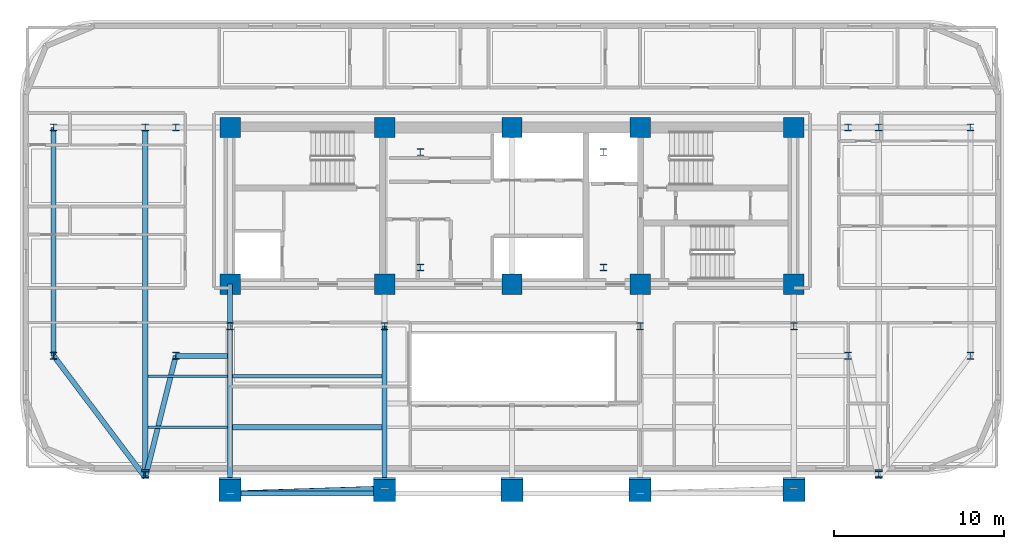
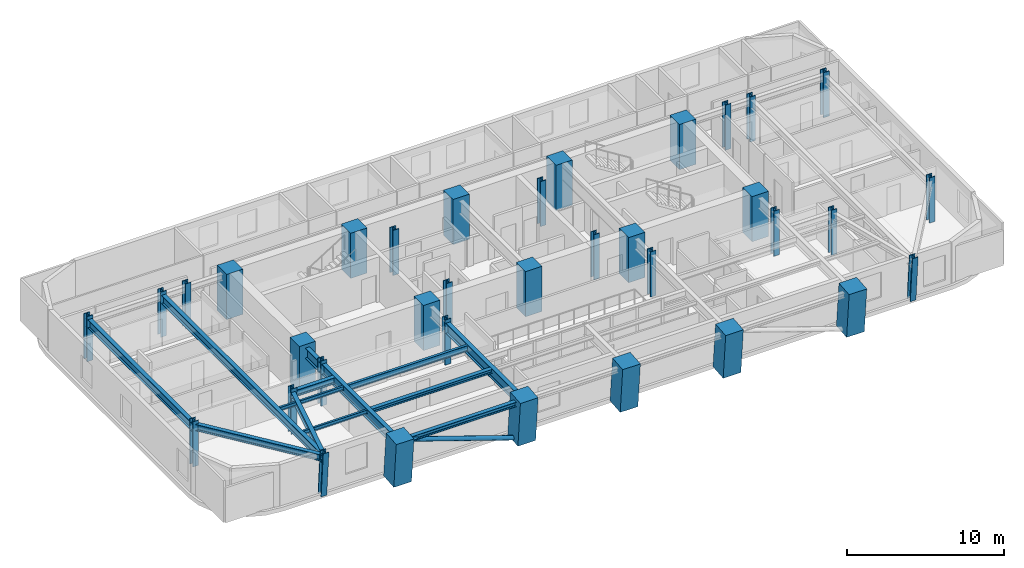
# One storey, part 1 of 15: 35 columns, 13 beams, 1 member.
"""IFC4 building model written with IfcOpenShell, lengths in metres."""

from ifc_helpers import new_model, si_unit, direction, frame, origin, origin_2d, place, context, subcontext, project, spatial, rectangle, hollow_circle, i_section, extrude, material, material_profile, profile_set, type_object, element, save


model = new_model("IFC4")

# Units and contexts
model_context = context("Model", 3, precision=1e-05, world=origin(), true_north=direction((0.0, 1.0)))
body_context = subcontext(model_context, "Body", "Model", "MODEL_VIEW")
ifc_project = project(units=[si_unit("LENGTHUNIT", "METRE"), si_unit("AREAUNIT", "SQUARE_METRE"), si_unit("VOLUMEUNIT", "CUBIC_METRE"), si_unit("PLANEANGLEUNIT", "RADIAN"), si_unit("MASSUNIT", "GRAM", prefix="KILO")], contexts=[model_context])

# Site, building, storey
site_placement = place(None, origin())
site = spatial("IfcSite", under=ifc_project, at=site_placement, CompositionType="ELEMENT")
building_placement = place(site_placement, origin())
building = spatial("IfcBuilding", under=site, at=building_placement, Name="Zarnavel Station Tower", CompositionType="ELEMENT")
storey_placement = place(building_placement, frame((0.0, 0.0, 115.300048828125)))
storey = spatial("IfcBuildingStorey", under=building, at=storey_placement, Name="L31", CompositionType="ELEMENT", Elevation=115.300048828125)

# Columns
ifc_material_1 = material(Name="Steel S460M", Category="steel")
ifc_material_profile_1 = material_profile(ifc_material_1, i_section(OverallWidth=0.41796875, OverallDepth=0.431884765625, WebThickness=0.034912109375, FlangeThickness=0.055908203125, FilletRadius=0.014892578125, at=origin_2d()), Name="HD400x421")
ifc_profile_set_1 = profile_set([ifc_material_profile_1], Name="Steel S460M")
column_type_1 = type_object("IfcColumnType", Name="EC_HD421", PredefinedType="COLUMN", material=ifc_profile_set_1)
for number, where, z_axis, x_axis, name in (
    (1, (1.800048828125, 23.60009765625, 0.0), (0.0, 0.0, 1.0), (1.0, 0.0, 0.0), "L31 Outer Wing South Column 1"),
    (2, (1.800048828125, 37.050048828125, 0.0), (0.0, 0.0, 1.0), (1.0, 0.0, 0.0), "L31 Outer Wing North Column 1"),
):
    element("IfcColumn", number, at=place(storey_placement, frame(where, z_axis=z_axis, x_axis=x_axis)), inside=storey, type_object=column_type_1, Name=name, PredefinedType="COLUMN", context=body_context, shape_type="SweptSolid", body=[
        extrude(i_section(OverallWidth=0.41796875, OverallDepth=0.431884765625, WebThickness=0.034912109375, FlangeThickness=0.055908203125, FilletRadius=0.014892578125, at=origin_2d()), origin(), (0.0, 0.0, 1.0), 3.5),
    ])
for number, where, z_axis, x_axis, name in (
    (3, (7.199951171875, 16.68310546875, 0.0), (0.0, -0.079891690793, 0.996803550226), (1.0, 0.0, 0.0), "L31 Raked Wing Column 2"),
    (4, (50.39990234375, 16.68310546875, 0.0), (0.0, -0.079891690793, 0.996803550226), (1.0, 0.0, 0.0), "L31 Raked Wing Column 3"),
):
    element("IfcColumn", number, at=place(storey_placement, frame(where, z_axis=z_axis, x_axis=x_axis)), inside=storey, type_object=column_type_1, Name=name, PredefinedType="COLUMN", context=body_context, shape_type="SweptSolid", body=[
        extrude(i_section(OverallWidth=0.41796875, OverallDepth=0.431884765625, WebThickness=0.034912109375, FlangeThickness=0.055908203125, FilletRadius=0.014892578125, at=origin_2d()), origin(), (0.0, 0.0, 1.0), 3.51123046875),
    ])
for number, where, z_axis, x_axis, name in (
    (5, (55.800048828125, 23.60009765625, 0.0), (0.0, 0.0, 1.0), (1.0, 0.0, 0.0), "L31 Outer Wing South Column 4"),
    (6, (55.800048828125, 37.050048828125, 0.0), (0.0, 0.0, 1.0), (1.0, 0.0, 0.0), "L31 Outer Wing North Column 4"),
):
    element("IfcColumn", number, at=place(storey_placement, frame(where, z_axis=z_axis, x_axis=x_axis)), inside=storey, type_object=column_type_1, Name=name, PredefinedType="COLUMN", context=body_context, shape_type="SweptSolid", body=[
        extrude(i_section(OverallWidth=0.41796875, OverallDepth=0.431884765625, WebThickness=0.034912109375, FlangeThickness=0.055908203125, FilletRadius=0.014892578125, at=origin_2d()), origin(), (0.0, 0.0, 1.0), 3.5),
    ])
ifc_material_2 = material(Name="Steel S460M", Category="steel")
ifc_material_profile_2 = material_profile(ifc_material_2, i_section(OverallWidth=0.41796875, OverallDepth=0.431884765625, WebThickness=0.034912109375, FlangeThickness=0.055908203125, FilletRadius=0.014892578125, at=origin_2d()), Name="HD400x421")
ifc_profile_set_2 = profile_set([ifc_material_profile_2], Name="Steel S460M")
column_type_2 = type_object("IfcColumnType", Name="IC_HD421", PredefinedType="COLUMN", material=ifc_profile_set_2)
for number, where, z_axis, x_axis, name in (
    (7, (23.39990234375, 28.800048828125, 0.0), (0.0, 0.0, 1.0), (1.0, 0.0, 0.0), "L31 Mast Spine Column 1"),
    (8, (34.199951171875, 28.800048828125, 0.0), (0.0, 0.0, 1.0), (1.0, 0.0, 0.0), "L31 Mast Spine Column 2"),
    (9, (34.199951171875, 35.60009765625, 0.0), (0.0, 0.0, 1.0), (1.0, 0.0, 0.0), "L31 Mast Spine Column 3"),
    (10, (23.39990234375, 35.60009765625, 0.0), (0.0, 0.0, 1.0), (1.0, 0.0, 0.0), "L31 Mast Spine Column 4"),
    (11, (12.199951171875, 25.35009765625, 0.0), (0.0, 0.0, 1.0), (1.0, 0.0, 0.0), "L31 Inner Spine Column 1"),
    (12, (21.300048828125, 25.35009765625, 0.0), (0.0, 0.0, 1.0), (1.0, 0.0, 0.0), "L31 Inner Spine Column 2"),
    (13, (36.35009765625, 25.35009765625, 0.0), (0.0, 0.0, 1.0), (1.0, 0.0, 0.0), "L31 Inner Spine Column 4"),
    (14, (45.39990234375, 25.35009765625, 0.0), (0.0, 0.0, 1.0), (1.0, 0.0, 0.0), "L31 Inner Spine Column 5"),
    (15, (9.0, 23.60009765625, 0.0), (0.0, 0.0, 1.0), (1.0, 0.0, 0.0), "L31 Inner Wing Spine Column 1-1"),
    (16, (9.0, 37.050048828125, 0.0), (0.0, 0.0, 1.0), (1.0, 0.0, 0.0), "L31 Inner Wing Spine Column 1-2"),
    (17, (48.60009765625, 23.60009765625, 0.0), (0.0, 0.0, 1.0), (1.0, 0.0, 0.0), "L31 Inner Wing Spine Column 2-1"),
    (18, (48.60009765625, 37.050048828125, 0.0), (0.0, 0.0, 1.0), (1.0, 0.0, 0.0), "L31 Inner Wing Spine Column 2-2"),
    (19, (7.199951171875, 37.050048828125, 0.0), (0.0, 0.0, 1.0), (1.0, 0.0, 0.0), "L31 Outer Wing North Column 2"),
    (20, (50.39990234375, 37.050048828125, 0.0), (0.0, 0.0, 1.0), (1.0, 0.0, 0.0), "L31 Outer Wing North Column 3"),
):
    element("IfcColumn", number, at=place(storey_placement, frame(where, z_axis=z_axis, x_axis=x_axis)), inside=storey, type_object=column_type_2, Name=name, PredefinedType="COLUMN", context=body_context, shape_type="SweptSolid", body=[
        extrude(i_section(OverallWidth=0.41796875, OverallDepth=0.431884765625, WebThickness=0.034912109375, FlangeThickness=0.055908203125, FilletRadius=0.014892578125, at=origin_2d()), origin(), (0.0, 0.0, 1.0), 3.5),
    ])
ifc_material_3 = material(Name="Concrete C50/60", Category="concrete")
ifc_material_profile_3 = material_profile(ifc_material_3, rectangle(XDim=1.199951171875, YDim=1.199951171875, at=origin_2d()), Name="RC1200x1200")
ifc_profile_set_3 = profile_set([ifc_material_profile_3], Name="Concrete C50/60")
column_type_3 = type_object("IfcColumnType", Name="IC_RC1200", PredefinedType="COLUMN", material=ifc_profile_set_3)
for number, where, z_axis, x_axis, name in (
    (21, (12.199951171875, 27.820068359375, 0.0), (0.0, 0.0, 1.0), (1.0, 0.0, 0.0), "L31 Core Spine Column 1-1"),
    (22, (12.199951171875, 37.050048828125, 0.0), (0.0, 0.0, 1.0), (1.0, 0.0, 0.0), "L31 Core Spine Column 1-2"),
    (23, (21.300048828125, 27.820068359375, 0.0), (0.0, 0.0, 1.0), (1.0, 0.0, 0.0), "L31 Core Spine Column 2-1"),
    (24, (21.300048828125, 37.050048828125, 0.0), (0.0, 0.0, 1.0), (1.0, 0.0, 0.0), "L31 Core Spine Column 2-2"),
    (25, (28.800048828125, 27.820068359375, 0.0), (0.0, 0.0, 1.0), (1.0, 0.0, 0.0), "L31 Core Spine Column 3-1"),
    (26, (28.800048828125, 37.050048828125, 0.0), (0.0, 0.0, 1.0), (1.0, 0.0, 0.0), "L31 Core Spine Column 3-2"),
    (27, (36.35009765625, 27.820068359375, 0.0), (0.0, 0.0, 1.0), (1.0, 0.0, 0.0), "L31 Core Spine Column 4-1"),
    (28, (36.35009765625, 37.050048828125, 0.0), (0.0, 0.0, 1.0), (1.0, 0.0, 0.0), "L31 Core Spine Column 4-2"),
    (29, (45.39990234375, 27.820068359375, 0.0), (0.0, 0.0, 1.0), (1.0, 0.0, 0.0), "L31 Core Spine Column 5-1"),
    (30, (45.39990234375, 37.050048828125, 0.0), (0.0, 0.0, 1.0), (1.0, 0.0, 0.0), "L31 Core Spine Column 5-2"),
):
    element("IfcColumn", number, at=place(storey_placement, frame(where, z_axis=z_axis, x_axis=x_axis)), inside=storey, type_object=column_type_3, Name=name, PredefinedType="COLUMN", context=body_context, shape_type="SweptSolid", body=[
        extrude(rectangle(XDim=1.199951171875, YDim=1.199951171875, at=origin_2d()), origin(), (0.0, 0.0, 1.0), 3.5),
    ])
ifc_material_4 = material(Name="Concrete C60/75", Category="concrete")
ifc_material_profile_4 = material_profile(ifc_material_4, rectangle(XDim=1.300048828125, YDim=1.300048828125, at=origin_2d()), Name="RC1300x1300")
ifc_profile_set_4 = profile_set([ifc_material_profile_4], Name="Concrete C60/75")
column_type_4 = type_object("IfcColumnType", Name="MC_RC1300", PredefinedType="COLUMN", material=ifc_profile_set_4)
for number, where, z_axis, x_axis, name in (
    (31, (12.199951171875, 15.779541015625, 0.0), (0.0, -0.090241349316, 0.995919925935), (1.0, 0.0, 0.0), "L31 Raked South Mega-Column 1"),
    (32, (21.300048828125, 15.779541015625, 0.0), (0.0, -0.090241349316, 0.995919925935), (1.0, 0.0, 0.0), "L31 Raked South Mega-Column 2"),
    (33, (28.800048828125, 15.779541015625, 0.0), (0.0, -0.090241349316, 0.995919925935), (1.0, 0.0, 0.0), "L31 Raked South Mega-Column 3"),
    (34, (36.35009765625, 15.779541015625, 0.0), (0.0, -0.090241349316, 0.995919925935), (1.0, 0.0, 0.0), "L31 Raked South Mega-Column 4"),
    (35, (45.39990234375, 15.779541015625, 0.0), (0.0, -0.090241349316, 0.995919925935), (1.0, 0.0, 0.0), "L31 Raked South Mega-Column 5"),
):
    element("IfcColumn", number, at=place(storey_placement, frame(where, z_axis=z_axis, x_axis=x_axis)), inside=storey, type_object=column_type_4, Name=name, PredefinedType="COLUMN", context=body_context, shape_type="SweptSolid", body=[
        extrude(rectangle(XDim=1.300048828125, YDim=1.300048828125, at=origin_2d()), origin(), (0.0, 0.0, 1.0), 3.514404296875),
    ])

# Member
ifc_material_5 = material(Name="Steel S355J2", Category="steel")
ifc_material_profile_5 = material_profile(ifc_material_5, hollow_circle(Radius=0.161865234375, WallThickness=0.012451171875, at=origin_2d()), Name="CHS323.9x12.5")
ifc_profile_set_5 = profile_set([ifc_material_profile_5], Name="Steel S355J2")
member_type = type_object("IfcMemberType", Name="DB_EXT_CHS324", PredefinedType="BRACE", material=ifc_profile_set_5)
member_placement = place(storey_placement, frame((21.300048828125, 15.779541015625, 0.0), z_axis=(-0.941635675338, -0.030390827854, 0.335259082669), x_axis=(0.032257711549, -0.999479584607, 0.0)))
element("IfcMember", 36, at=member_placement, inside=storey, type_object=member_type, Name="L31 Persian Exterior Diagonal Frame Brace 1", PredefinedType="BRACE", context=body_context, shape_type="SweptSolid", body=[
    extrude(hollow_circle(Radius=0.161865234375, WallThickness=0.012451171875, at=origin_2d()), origin(), (0.0, 0.0, 1.0), 9.6640625),
])

# Beams
ifc_material_6 = material(Name="Steel S355J2", Category="steel")
ifc_material_profile_6 = material_profile(ifc_material_6, i_section(OverallWidth=0.300048828125, OverallDepth=0.360107421875, WebThickness=0.012451171875, FlangeThickness=0.0224609375, FilletRadius=0.027099609375, at=origin_2d()), Name="HEB360")
ifc_profile_set_6 = profile_set([ifc_material_profile_6], Name="Steel S355J2")
beam_type_1 = type_object("IfcBeamType", Name="EB_HEB360", PredefinedType="SPANDREL", material=ifc_profile_set_6)
beam_1_placement = place(storey_placement, frame((12.199951171875, 15.48583984375, 3.06005859375), z_axis=(1.0, 0.0, 0.0), x_axis=(0.0, 1.0, 0.0)))
element("IfcBeam", 37, at=beam_1_placement, inside=storey, type_object=beam_type_1, Name="L31 South Raked Spandrel 1", PredefinedType="SPANDREL", context=body_context, shape_type="SweptSolid", body=[
    extrude(i_section(OverallWidth=0.300048828125, OverallDepth=0.360107421875, WebThickness=0.012451171875, FlangeThickness=0.0224609375, FilletRadius=0.027099609375, at=origin_2d()), origin(), (0.0, 0.0, 1.0), 9.10009765625),
])
ifc_material_7 = material(Name="Steel S355J2", Category="steel")
ifc_material_profile_7 = material_profile(ifc_material_7, i_section(OverallWidth=0.300048828125, OverallDepth=0.31005859375, WebThickness=0.009033203125, FlangeThickness=0.015380859375, FilletRadius=0.027099609375, at=origin_2d()), Name="HEA320")
ifc_profile_set_7 = profile_set([ifc_material_profile_7], Name="Steel S355J2")
beam_type_2 = type_object("IfcBeamType", Name="FB_HEA320", PredefinedType="BEAM", material=ifc_profile_set_7)
beam_2_placement = place(storey_placement, frame((12.344970703125, 19.390625, 3.0849609375), z_axis=(1.0, 0.0, 0.0), x_axis=(0.0, 1.0, 0.0)))
element("IfcBeam", 38, at=beam_2_placement, inside=storey, type_object=beam_type_2, Name="L31 West Bay Beam 1", PredefinedType="BEAM", context=body_context, shape_type="SweptSolid", body=[
    extrude(i_section(OverallWidth=0.300048828125, OverallDepth=0.31005859375, WebThickness=0.009033203125, FlangeThickness=0.015380859375, FilletRadius=0.027099609375, at=origin_2d()), origin(), (0.0, 0.0, 1.0), 8.81005859375),
])
ifc_material_8 = material(Name="Steel S355J2", Category="steel")
ifc_material_profile_8 = material_profile(ifc_material_8, i_section(OverallWidth=0.18994140625, OverallDepth=0.449951171875, WebThickness=0.009521484375, FlangeThickness=0.0146484375, FilletRadius=0.02099609375, at=origin_2d()), Name="IPE450")
ifc_profile_set_8 = profile_set([ifc_material_profile_8], Name="Steel S355J2")
beam_type_3 = type_object("IfcBeamType", Name="FB_IPE450", PredefinedType="BEAM", material=ifc_profile_set_8)
beam_3_placement = place(storey_placement, frame((12.344970703125, 22.395263671875, 3.014892578125), z_axis=(1.0, 0.0, 0.0), x_axis=(0.0, 1.0, 0.0)))
element("IfcBeam", 39, at=beam_3_placement, inside=storey, type_object=beam_type_3, Name="L31 West Bay Beam 2", PredefinedType="BEAM", context=body_context, shape_type="SweptSolid", body=[
    extrude(i_section(OverallWidth=0.18994140625, OverallDepth=0.449951171875, WebThickness=0.009521484375, FlangeThickness=0.0146484375, FilletRadius=0.02099609375, at=origin_2d()), origin(), (0.0, 0.0, 1.0), 8.81005859375),
])
ifc_material_9 = material(Name="Steel S355J2", Category="steel")
ifc_material_profile_9 = material_profile(ifc_material_9, i_section(OverallWidth=0.300048828125, OverallDepth=0.5, WebThickness=0.014404296875, FlangeThickness=0.028076171875, FilletRadius=0.027099609375, at=origin_2d()), Name="HEB500")
ifc_profile_set_9 = profile_set([ifc_material_profile_9], Name="Steel S355J2")
beam_type_4 = type_object("IfcBeamType", Name="FG_HEB500", PredefinedType="USERDEFINED", material=ifc_profile_set_9)
beam_4_placement = place(storey_placement, frame((1.800048828125, 23.60009765625, 2.989990234375), z_axis=(0.601234482167, -0.799072648421, 0.0), x_axis=(0.799072648421, 0.601234482167, 0.0)))
element("IfcBeam", 40, at=beam_4_placement, inside=storey, type_object=beam_type_4, Name="L31 West Wing South Tie 1", ObjectType="GIRDER", PredefinedType="USERDEFINED", context=body_context, shape_type="SweptSolid", body=[
    extrude(i_section(OverallWidth=0.300048828125, OverallDepth=0.5, WebThickness=0.014404296875, FlangeThickness=0.028076171875, FilletRadius=0.027099609375, at=origin_2d()), origin(), (0.0, 0.0, 1.0), 8.9814453125),
])
beam_5_placement = place(storey_placement, frame((7.199951171875, 16.42333984375, 2.989990234375), z_axis=(0.243280879073, 0.969955882439, 0.0), x_axis=(-0.969955882439, 0.243280879073, 0.0)))
element("IfcBeam", 41, at=beam_5_placement, inside=storey, type_object=beam_type_4, Name="L31 West Wing South Tie 2", ObjectType="GIRDER", PredefinedType="USERDEFINED", context=body_context, shape_type="SweptSolid", body=[
    extrude(i_section(OverallWidth=0.300048828125, OverallDepth=0.5, WebThickness=0.014404296875, FlangeThickness=0.028076171875, FilletRadius=0.027099609375, at=origin_2d()), origin(), (0.0, 0.0, 1.0), 7.399169921875),
])
beam_6_placement = place(storey_placement, frame((9.0, 23.60009765625, 2.989990234375), z_axis=(1.0, 0.0, 0.0), x_axis=(0.0, 1.0, 0.0)))
element("IfcBeam", 42, at=beam_6_placement, inside=storey, type_object=beam_type_4, Name="L31 West Wing South Tie 3", ObjectType="GIRDER", PredefinedType="USERDEFINED", context=body_context, shape_type="SweptSolid", body=[
    extrude(i_section(OverallWidth=0.300048828125, OverallDepth=0.5, WebThickness=0.014404296875, FlangeThickness=0.028076171875, FilletRadius=0.027099609375, at=origin_2d()), origin(), (0.0, 0.0, 1.0), 3.054931640625),
])
ifc_material_10 = material(Name="Steel S355J2", Category="steel")
ifc_material_profile_10 = material_profile(ifc_material_10, i_section(OverallWidth=0.300048828125, OverallDepth=0.64990234375, WebThickness=0.01611328125, FlangeThickness=0.031005859375, FilletRadius=0.027099609375, at=origin_2d()), Name="HEB650")
ifc_profile_set_10 = profile_set([ifc_material_profile_10], Name="Steel S355J2")
beam_type_5 = type_object("IfcBeamType", Name="FG_HEB650", PredefinedType="USERDEFINED", material=ifc_profile_set_10)
beam_7_placement = place(storey_placement, frame((1.800048828125, 23.60009765625, 2.9150390625), z_axis=(0.0, 1.0, 0.0), x_axis=(-1.0, 0.0, 0.0)))
element("IfcBeam", 43, at=beam_7_placement, inside=storey, type_object=beam_type_5, Name="L31 Wing NS Girder 1", ObjectType="GIRDER", PredefinedType="USERDEFINED", context=body_context, shape_type="SweptSolid", body=[
    extrude(i_section(OverallWidth=0.300048828125, OverallDepth=0.64990234375, WebThickness=0.01611328125, FlangeThickness=0.031005859375, FilletRadius=0.027099609375, at=origin_2d()), origin(), (0.0, 0.0, 1.0), 13.449951171875),
])
beam_8_placement = place(storey_placement, frame((7.199951171875, 16.42333984375, 2.9150390625), z_axis=(0.0, 1.0, 0.0), x_axis=(-1.0, 0.0, 0.0)))
element("IfcBeam", 44, at=beam_8_placement, inside=storey, type_object=beam_type_5, Name="L31 Wing NS Girder 2", ObjectType="GIRDER", PredefinedType="USERDEFINED", context=body_context, shape_type="SweptSolid", body=[
    extrude(i_section(OverallWidth=0.300048828125, OverallDepth=0.64990234375, WebThickness=0.01611328125, FlangeThickness=0.031005859375, FilletRadius=0.027099609375, at=origin_2d()), origin(), (0.0, 0.0, 1.0), 20.626708984375),
])
ifc_material_11 = material(Name="Steel S460M", Category="steel")
ifc_material_profile_11 = material_profile(ifc_material_11, i_section(OverallWidth=0.302978515625, OverallDepth=0.81396484375, WebThickness=0.02099609375, FlangeThickness=0.0400390625, FilletRadius=0.030029296875, at=origin_2d()), Name="HEM800")
ifc_profile_set_11 = profile_set([ifc_material_profile_11], Name="Steel S460M")
beam_type_6 = type_object("IfcBeamType", Name="FG_HEM800", PredefinedType="USERDEFINED", material=ifc_profile_set_11)
beam_9_placement = place(storey_placement, frame((12.199951171875, 15.48583984375, 2.8330078125), z_axis=(0.0, 1.0, 0.0), x_axis=(-1.0, 0.0, 0.0)))
element("IfcBeam", 45, at=beam_9_placement, inside=storey, type_object=beam_type_6, Name="L31 South-Zone NS Girder 1", ObjectType="GIRDER", PredefinedType="USERDEFINED", context=body_context, shape_type="SweptSolid", body=[
    extrude(i_section(OverallWidth=0.302978515625, OverallDepth=0.81396484375, WebThickness=0.02099609375, FlangeThickness=0.0400390625, FilletRadius=0.030029296875, at=origin_2d()), origin(), (0.0, 0.0, 1.0), 9.8642578125),
])
beam_10_placement = place(storey_placement, frame((12.199951171875, 25.35009765625, 2.8330078125), z_axis=(0.0, 1.0, 0.0), x_axis=(-1.0, 0.0, 0.0)))
element("IfcBeam", 46, at=beam_10_placement, inside=storey, type_object=beam_type_6, Name="L31 Inner-Zone NS Girder 1", ObjectType="GIRDER", PredefinedType="USERDEFINED", context=body_context, shape_type="SweptSolid", body=[
    extrude(i_section(OverallWidth=0.302978515625, OverallDepth=0.81396484375, WebThickness=0.02099609375, FlangeThickness=0.0400390625, FilletRadius=0.030029296875, at=origin_2d()), origin(), (0.0, 0.0, 1.0), 2.469970703125),
])
beam_11_placement = place(storey_placement, frame((21.300048828125, 15.48583984375, 2.8330078125), z_axis=(0.0, 1.0, 0.0), x_axis=(-1.0, 0.0, 0.0)))
element("IfcBeam", 47, at=beam_11_placement, inside=storey, type_object=beam_type_6, Name="L31 South-Zone NS Girder 2", ObjectType="GIRDER", PredefinedType="USERDEFINED", context=body_context, shape_type="SweptSolid", body=[
    extrude(i_section(OverallWidth=0.302978515625, OverallDepth=0.81396484375, WebThickness=0.02099609375, FlangeThickness=0.0400390625, FilletRadius=0.030029296875, at=origin_2d()), origin(), (0.0, 0.0, 1.0), 9.8642578125),
])
ifc_material_12 = material(Name="Steel S355J2", Category="steel")
ifc_material_profile_12 = material_profile(ifc_material_12, i_section(OverallWidth=0.14990234375, OverallDepth=0.300048828125, WebThickness=0.007080078125, FlangeThickness=0.0107421875, FilletRadius=0.014892578125, at=origin_2d()), Name="IPE300")
ifc_profile_set_12 = profile_set([ifc_material_profile_12], Name="Steel S355J2")
beam_type_7 = type_object("IfcBeamType", Name="FJ_IPE300", PredefinedType="JOIST", material=ifc_profile_set_12)
for number, where, z_axis, x_axis, name in (
    (48, (7.344970703125, 19.390625, 3.08984375), (1.0, 0.0, 0.0), (0.0, 1.0, 0.0), "L31 West Wing Joist 1"),
    (49, (7.344970703125, 22.395263671875, 3.08984375), (1.0, 0.0, 0.0), (0.0, 1.0, 0.0), "L31 West Wing Joist 2"),
):
    element("IfcBeam", number, at=place(storey_placement, frame(where, z_axis=z_axis, x_axis=x_axis)), inside=storey, type_object=beam_type_7, Name=name, PredefinedType="JOIST", context=body_context, shape_type="SweptSolid", body=[
        extrude(i_section(OverallWidth=0.14990234375, OverallDepth=0.300048828125, WebThickness=0.007080078125, FlangeThickness=0.0107421875, FilletRadius=0.014892578125, at=origin_2d()), origin(), (0.0, 0.0, 1.0), 4.7099609375),
    ])

save(model, "model.ifc")
